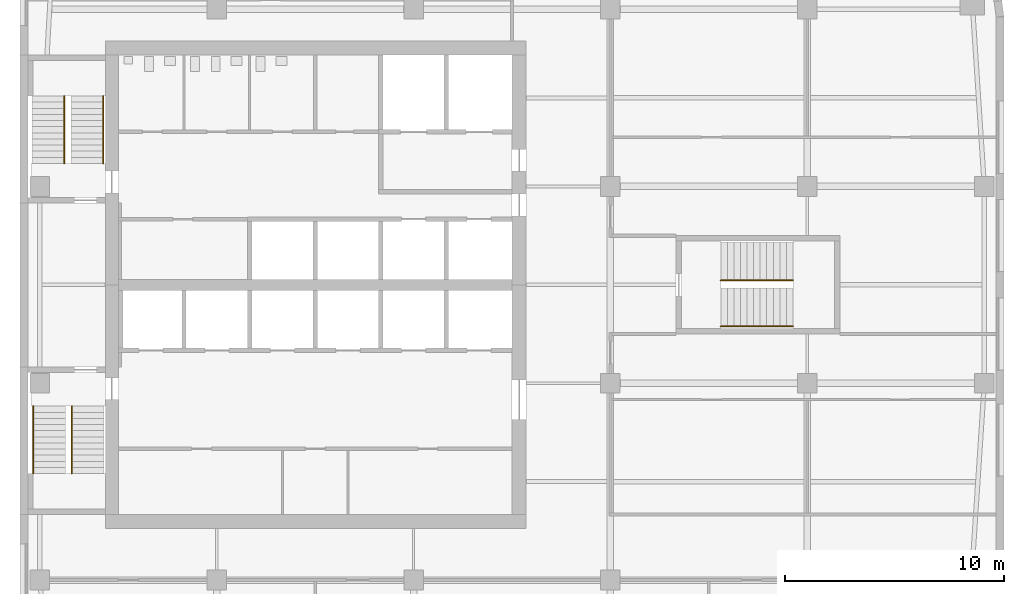
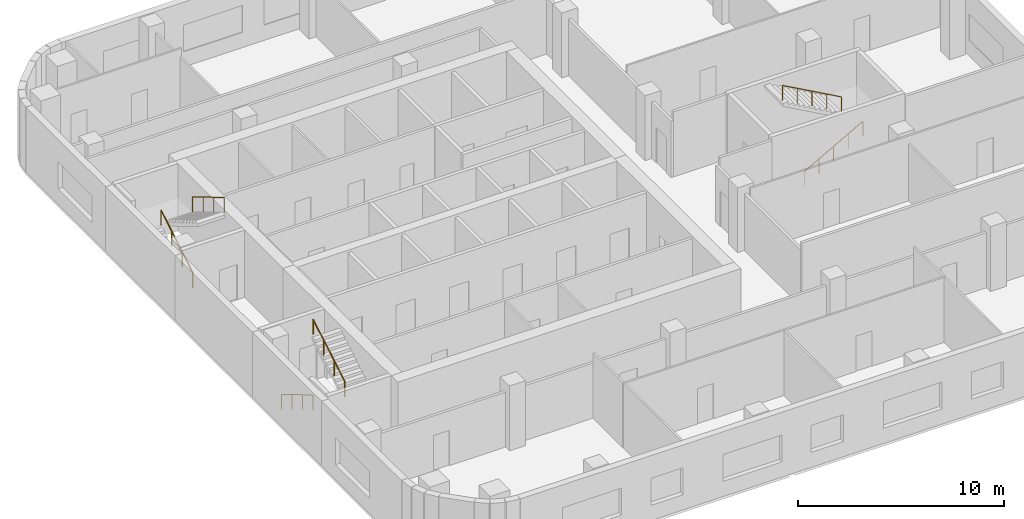
# One storey, part 7 of 8: 6 railings, 3 elements without a shape of their own.
"""IFC4 building model written with IfcOpenShell, lengths in metres."""

from ifc_helpers import new_model, si_unit, direction, frame, origin, origin_2d, place, context, subcontext, project, spatial, circle, extrude, material, type_object, element, aggregate, save


model = new_model("IFC4")

# Units and contexts
model_context = context("Model", 3, precision=1e-05, world=origin(), true_north=direction((0.0, 1.0)))
body_context = subcontext(model_context, "Body", "Model", "MODEL_VIEW")
ifc_project = project(units=[si_unit("LENGTHUNIT", "METRE"), si_unit("AREAUNIT", "SQUARE_METRE"), si_unit("VOLUMEUNIT", "CUBIC_METRE"), si_unit("PLANEANGLEUNIT", "RADIAN"), si_unit("MASSUNIT", "GRAM", prefix="KILO")], contexts=[model_context])

# Site, building, storey
site_placement = place(None, origin())
site = spatial("IfcSite", under=ifc_project, at=site_placement, CompositionType="ELEMENT")
building_placement = place(site_placement, origin())
building = spatial("IfcBuilding", under=site, at=building_placement, Name="Cinnabar Reach Civic Tower", CompositionType="ELEMENT")
storey_placement = place(building_placement, frame((0.0, 0.0, 165.0)))
storey = spatial("IfcBuildingStorey", under=building, at=storey_placement, Name="L39", CompositionType="ELEMENT", Elevation=165.0)

# Stair, railings
ifc_material_1 = material(Name="Concrete C40/50", Category="concrete")
stair_type = type_object("IfcStairType", Name="T1 Exit stair, half-turn", PredefinedType="HALF_TURN_STAIR", material=ifc_material_1)
stair_1_placement = place(storey_placement, origin())
stair_1 = element("IfcStair", 1, at=stair_1_placement, inside=storey, type_object=stair_type, Name="Stair T1-S1", PredefinedType="HALF_TURN_STAIR")
ifc_material_2 = material(Name="Stainless steel tube", Category="steel")
railing_type = type_object("IfcRailingType", Name="T1 Stair handrail, stainless tube 48", PredefinedType="HANDRAIL", material=ifc_material_2)
railing_1_placement = place(storey_placement, frame((0.6, 25.95, 0.1667)))
railing_1 = element("IfcRailing", 2, at=railing_1_placement, type_object=railing_type, Name="T1-S1 handrail 1", PredefinedType="HANDRAIL", context=body_context, shape_type="SweptSolid", body=[
    extrude(circle(Radius=0.024, at=origin_2d()), frame((0.0, 0.0, 0.876), z_axis=(0.0, -0.859296971757, 0.511476992962), x_axis=(1.0, 0.0, 0.0)), (0.0, 0.0, 1.0), 3.5843),
    extrude(circle(Radius=0.021, at=origin_2d()), origin(), (0.0, 0.0, 1.0), 0.852),
    extrude(circle(Radius=0.021, at=origin_2d()), frame((0.0, -1.0267, 0.6111)), (0.0, 0.0, 1.0), 0.852),
    extrude(circle(Radius=0.021, at=origin_2d()), frame((0.0, -2.0533, 1.2222)), (0.0, 0.0, 1.0), 0.852),
    extrude(circle(Radius=0.021, at=origin_2d()), frame((0.0, -3.08, 1.8333)), (0.0, 0.0, 1.0), 0.852),
])
railing_2_placement = place(storey_placement, frame((2.375, 22.87, 2.1667)))
railing_2 = element("IfcRailing", 3, at=railing_2_placement, type_object=railing_type, Name="T1-S1 handrail 2", PredefinedType="HANDRAIL", context=body_context, shape_type="SweptSolid", body=[
    extrude(circle(Radius=0.024, at=origin_2d()), frame((0.0, 0.0, 0.876), z_axis=(0.0, 0.859296971757, 0.511476992962), x_axis=(-1.0, 0.0, 0.0)), (0.0, 0.0, 1.0), 3.5843),
    extrude(circle(Radius=0.021, at=origin_2d()), origin(), (0.0, 0.0, 1.0), 0.852),
    extrude(circle(Radius=0.021, at=origin_2d()), frame((0.0, 1.0267, 0.6111)), (0.0, 0.0, 1.0), 0.852),
    extrude(circle(Radius=0.021, at=origin_2d()), frame((0.0, 2.0533, 1.2222)), (0.0, 0.0, 1.0), 0.852),
    extrude(circle(Radius=0.021, at=origin_2d()), frame((0.0, 3.08, 1.8333)), (0.0, 0.0, 1.0), 0.852),
])
aggregate(stair_1, [railing_1, railing_2])

stair_2_placement = place(storey_placement, origin())
stair_2 = element("IfcStair", 4, at=stair_2_placement, inside=storey, type_object=stair_type, Name="Stair T1-S2", PredefinedType="HALF_TURN_STAIR")
railing_3_placement = place(storey_placement, frame((2.025, 37.05, 0.1667)))
railing_3 = element("IfcRailing", 5, at=railing_3_placement, type_object=railing_type, Name="T1-S2 handrail 1", PredefinedType="HANDRAIL", context=body_context, shape_type="SweptSolid", body=[
    extrude(circle(Radius=0.024, at=origin_2d()), frame((0.0, 0.0, 0.876), z_axis=(0.0, 0.859296971757, 0.511476992962), x_axis=(-1.0, 0.0, 0.0)), (0.0, 0.0, 1.0), 3.5843),
    extrude(circle(Radius=0.021, at=origin_2d()), origin(), (0.0, 0.0, 1.0), 0.852),
    extrude(circle(Radius=0.021, at=origin_2d()), frame((0.0, 1.0267, 0.6111)), (0.0, 0.0, 1.0), 0.852),
    extrude(circle(Radius=0.021, at=origin_2d()), frame((0.0, 2.0533, 1.2222)), (0.0, 0.0, 1.0), 0.852),
    extrude(circle(Radius=0.021, at=origin_2d()), frame((0.0, 3.08, 1.8333)), (0.0, 0.0, 1.0), 0.852),
])
railing_4_placement = place(storey_placement, frame((3.8, 40.13, 2.1667)))
railing_4 = element("IfcRailing", 6, at=railing_4_placement, type_object=railing_type, Name="T1-S2 handrail 2", PredefinedType="HANDRAIL", context=body_context, shape_type="SweptSolid", body=[
    extrude(circle(Radius=0.024, at=origin_2d()), frame((0.0, 0.0, 0.876), z_axis=(0.0, -0.859296971757, 0.511476992962), x_axis=(1.0, 0.0, 0.0)), (0.0, 0.0, 1.0), 3.5843),
    extrude(circle(Radius=0.021, at=origin_2d()), origin(), (0.0, 0.0, 1.0), 0.852),
    extrude(circle(Radius=0.021, at=origin_2d()), frame((0.0, -1.0267, 0.6111)), (0.0, 0.0, 1.0), 0.852),
    extrude(circle(Radius=0.021, at=origin_2d()), frame((0.0, -2.0533, 1.2222)), (0.0, 0.0, 1.0), 0.852),
    extrude(circle(Radius=0.021, at=origin_2d()), frame((0.0, -3.08, 1.8333)), (0.0, 0.0, 1.0), 0.852),
])
aggregate(stair_2, [railing_3, railing_4])

stair_3_placement = place(storey_placement, origin())
stair_3 = element("IfcStair", 7, at=stair_3_placement, inside=storey, type_object=stair_type, Name="Stair T1-S3", PredefinedType="HALF_TURN_STAIR")
railing_5_placement = place(storey_placement, frame((32.05, 29.6, 0.1667)))
railing_5 = element("IfcRailing", 8, at=railing_5_placement, type_object=railing_type, Name="T1-S3 handrail 1", PredefinedType="HANDRAIL", context=body_context, shape_type="SweptSolid", body=[
    extrude(circle(Radius=0.024, at=origin_2d()), frame((0.0, 0.0, 0.876), z_axis=(0.874161024642, 0.0, 0.485636183781), x_axis=(0.0, 1.0, 0.0)), (0.0, 0.0, 1.0), 3.775),
    extrude(circle(Radius=0.021, at=origin_2d()), origin(), (0.0, 0.0, 1.0), 0.852),
    extrude(circle(Radius=0.021, at=origin_2d()), frame((0.825, 0.0, 0.4583)), (0.0, 0.0, 1.0), 0.852),
    extrude(circle(Radius=0.021, at=origin_2d()), frame((1.65, 0.0, 0.9167)), (0.0, 0.0, 1.0), 0.852),
    extrude(circle(Radius=0.021, at=origin_2d()), frame((2.475, 0.0, 1.375)), (0.0, 0.0, 1.0), 0.852),
    extrude(circle(Radius=0.021, at=origin_2d()), frame((3.3, 0.0, 1.8333)), (0.0, 0.0, 1.0), 0.852),
])
railing_6_placement = place(storey_placement, frame((35.35, 31.7, 2.1667)))
railing_6 = element("IfcRailing", 9, at=railing_6_placement, type_object=railing_type, Name="T1-S3 handrail 2", PredefinedType="HANDRAIL", context=body_context, shape_type="SweptSolid", body=[
    extrude(circle(Radius=0.024, at=origin_2d()), frame((0.0, 0.0, 0.876), z_axis=(-0.874161024642, 0.0, 0.485636183781), x_axis=(0.0, -1.0, 0.0)), (0.0, 0.0, 1.0), 3.775),
    extrude(circle(Radius=0.021, at=origin_2d()), origin(), (0.0, 0.0, 1.0), 0.852),
    extrude(circle(Radius=0.021, at=origin_2d()), frame((-0.825, 0.0, 0.4583)), (0.0, 0.0, 1.0), 0.852),
    extrude(circle(Radius=0.021, at=origin_2d()), frame((-1.65, 0.0, 0.9167)), (0.0, 0.0, 1.0), 0.852),
    extrude(circle(Radius=0.021, at=origin_2d()), frame((-2.475, 0.0, 1.375)), (0.0, 0.0, 1.0), 0.852),
    extrude(circle(Radius=0.021, at=origin_2d()), frame((-3.3, 0.0, 1.8333)), (0.0, 0.0, 1.0), 0.852),
])
aggregate(stair_3, [railing_5, railing_6])

save(model, "model.ifc")
